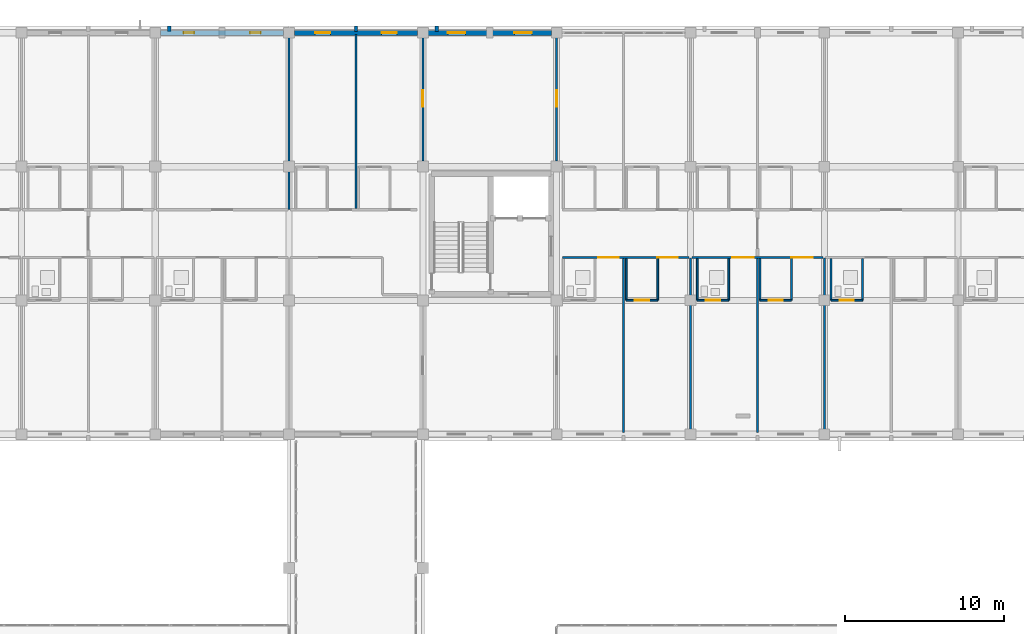
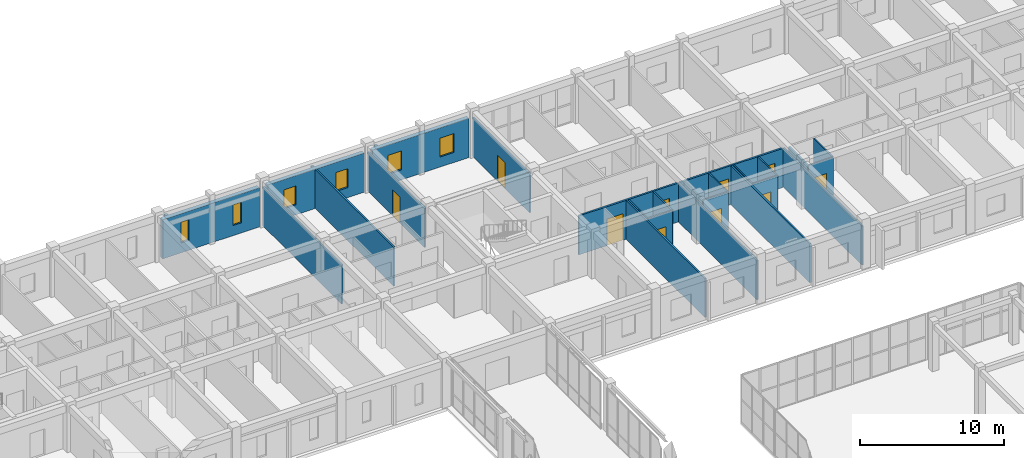
# One storey, part 121 of 140: 28 walls, 10 doors, 6 windows, 16 openings.
"""IFC4 building model written with IfcOpenShell, lengths in metres."""

from ifc_helpers import new_model, si_unit, direction, frame, frame_2d, origin, place, context, subcontext, project, spatial, rectangle, extrude, material, layer, layer_set, type_object, element, fill, save


model = new_model("IFC4")

# Units and contexts
model_context = context("Model", 3, precision=1e-05, world=origin(), true_north=direction((0.0, 1.0)))
body_context = subcontext(model_context, "Body", "Model", "MODEL_VIEW")
ifc_project = project(units=[si_unit("LENGTHUNIT", "METRE"), si_unit("AREAUNIT", "SQUARE_METRE"), si_unit("VOLUMEUNIT", "CUBIC_METRE"), si_unit("PLANEANGLEUNIT", "RADIAN"), si_unit("MASSUNIT", "GRAM", prefix="KILO")], contexts=[model_context])

# Site, building, storey
site_placement = place(None, origin())
site = spatial("IfcSite", under=ifc_project, at=site_placement, CompositionType="ELEMENT")
building_placement = place(site_placement, origin())
building = spatial("IfcBuilding", under=site, at=building_placement, Name="Trelvath General Hospital", CompositionType="ELEMENT")
storey_placement = place(building_placement, frame((0.0, 0.0, 16.199951171875)))
storey = spatial("IfcBuildingStorey", under=building, at=storey_placement, Name="L04", CompositionType="ELEMENT", Elevation=16.199951171875)

# Walls
ifc_material_1 = material(Name="Precast concrete C40/50", Category="concrete")
ifc_layer_1 = layer(ifc_material_1, 0.199951171875)
ifc_layer_set_1 = layer_set([ifc_layer_1], Name="Precast concrete C40/50")
wall_type_1 = type_object("IfcWallType", Name="BriseSoleilRib 200", PredefinedType="ELEMENTEDWALL", material=ifc_layer_set_1)
for number, where, z_axis, x_axis, name in (
    (1, (68.076171875, 117.675048828125, 0.0), (0.0, 0.0, 1.0), (0.0, 1.0, 0.0), "Precast Concrete Brise-Soleil Rib Fin L04-333"),
    (2, (79.800048828125, 117.675048828125, 0.0), (0.0, 0.0, 1.0), (0.0, 1.0, 0.0), "Precast Concrete Brise-Soleil Rib Fin L04-335"),
    (3, (84.876220703125, 117.675048828125, 0.0), (0.0, 0.0, 1.0), (0.0, 1.0, 0.0), "Precast Concrete Brise-Soleil Rib Fin L04-339"),
):
    element("IfcWall", number, at=place(storey_placement, frame(where, z_axis=z_axis, x_axis=x_axis)), inside=storey, type_object=wall_type_1, Name=name, PredefinedType="ELEMENTEDWALL", context=body_context, shape_type="SweptSolid", body=[
        extrude(rectangle(XDim=0.33984375, YDim=0.199951171875, at=frame_2d((0.169921875, 0.0))), origin(), (0.0, 0.0, 1.0), 3.300048828125),
    ])

# Wall, openings, doors
ifc_material_2 = material(Name="Gypsum acoustic steel-stud partition", Category="steel")
ifc_layer_2 = layer(ifc_material_2, 0.14990234375)
ifc_layer_set_2 = layer_set([ifc_layer_2], Name="Gypsum acoustic steel-stud partition")
wall_type_2 = type_object("IfcWallType", Name="ClinicalPartition 150", PredefinedType="PARTITIONING", material=ifc_layer_set_2)
wall_1_placement = place(storey_placement, frame((92.760009765625, 103.5, 0.0), z_axis=(0.0, 0.0, 1.0), x_axis=(1.0, 0.0, 0.0)))
wall_1 = element("IfcWall", 4, at=wall_1_placement, inside=storey, type_object=wall_type_2, Name="Corridor Partition L04-1638", PredefinedType="PARTITIONING", context=body_context, shape_type="SweptSolid", body=[
    extrude(rectangle(XDim=7.9599609375, YDim=0.14990234375, at=frame_2d((3.97998046875, 0.0))), origin(), (0.0, 0.0, 1.0), 3.300048828125),
])
opening_1_placement = place(wall_1_placement, frame((2.25, 0.0, 0.0)))
opening_1 = element("IfcOpeningElement", 5, at=opening_1_placement, cuts=wall_1, Name="Opening D-4-1110", PredefinedType="OPENING", context=body_context, shape_type="SweptSolid", body=[
    extrude(rectangle(XDim=1.300048828125, YDim=2.25, at=frame_2d((0.64990234375, 1.125))), frame((0.0, 0.0849609375, 0.0), z_axis=(0.0, -1.0, 0.0), x_axis=(1.0, 0.0, 0.0)), (0.0, 0.0, 1.0), 0.169921875),
])
opening_2_placement = place(wall_1_placement, frame((5.949951171875, 0.0, 0.0)))
opening_2 = element("IfcOpeningElement", 6, at=opening_2_placement, cuts=wall_1, Name="Opening D-4-1111", PredefinedType="OPENING", context=body_context, shape_type="SweptSolid", body=[
    extrude(rectangle(XDim=1.300048828125, YDim=2.25, at=frame_2d((0.64990234375, 1.125))), frame((0.0, 0.0849609375, 0.0), z_axis=(0.0, -1.0, 0.0), x_axis=(1.0, 0.0, 0.0)), (0.0, 0.0, 1.0), 0.169921875),
])
ifc_material_3 = material(Name="Hospital bed-leaf timber door", Category="wood")
door_type_1 = type_object("IfcDoorType", Name="Door PatientBed 1300x2250", OperationType="NOTDEFINED", PredefinedType="DOOR", material=ifc_material_3)
door_1_placement = place(opening_1_placement, origin())
door_1 = element("IfcDoor", 7, at=door_1_placement, inside=storey, type_object=door_type_1, Name="Patient Room Door L04-1110", OperationType="SINGLE_SWING_RIGHT", OverallHeight=2.25, OverallWidth=1.300048828125, PredefinedType="DOOR", context=body_context, shape_type="SweptSolid", body=[
    extrude(rectangle(XDim=1.300048828125, YDim=2.25, at=frame_2d((0.64990234375, 1.125))), frame((0.0, 0.02490234375, 0.0), z_axis=(0.0, -1.0, 0.0), x_axis=(1.0, 0.0, 0.0)), (0.0, 0.0, 1.0), 0.050048828125),
])
fill(opening_1, door_1)
door_2_placement = place(opening_2_placement, origin())
door_2 = element("IfcDoor", 8, at=door_2_placement, inside=storey, type_object=door_type_1, Name="Patient Room Door L04-1111", OperationType="SINGLE_SWING_LEFT", OverallHeight=2.25, OverallWidth=1.300048828125, PredefinedType="DOOR", context=body_context, shape_type="SweptSolid", body=[
    extrude(rectangle(XDim=1.300048828125, YDim=2.25, at=frame_2d((0.64990234375, 1.125))), frame((0.0, 0.02490234375, 0.0), z_axis=(0.0, -1.0, 0.0), x_axis=(1.0, 0.0, 0.0)), (0.0, 0.0, 1.0), 0.050048828125),
])
fill(opening_2, door_2)

wall_2_placement = place(storey_placement, frame((100.8798828125, 103.5, 0.0), z_axis=(0.0, 0.0, 1.0), x_axis=(1.0, 0.0, 0.0)))
wall_2 = element("IfcWall", 9, at=wall_2_placement, inside=storey, type_object=wall_type_2, Name="Corridor Partition L04-1656", PredefinedType="PARTITIONING", context=body_context, shape_type="SweptSolid", body=[
    extrude(rectangle(XDim=8.240234375, YDim=0.14990234375, at=frame_2d((4.1201171875, 0.0))), origin(), (0.0, 0.0, 1.0), 3.300048828125),
])
opening_3_placement = place(wall_2_placement, frame((2.530029296875, 0.0, 0.0)))
opening_3 = element("IfcOpeningElement", 10, at=opening_3_placement, cuts=wall_2, Name="Opening D-4-1118", PredefinedType="OPENING", context=body_context, shape_type="SweptSolid", body=[
    extrude(rectangle(XDim=1.35009765625, YDim=2.25, at=frame_2d((0.675048828125, 1.125))), frame((0.0, 0.0849609375, 0.0), z_axis=(0.0, -1.0, 0.0), x_axis=(1.0, 0.0, 0.0)), (0.0, 0.0, 1.0), 0.169921875),
])
opening_4_placement = place(wall_2_placement, frame((6.22998046875, 0.0, 0.0)))
opening_4 = element("IfcOpeningElement", 11, at=opening_4_placement, cuts=wall_2, Name="Opening D-4-1119", PredefinedType="OPENING", context=body_context, shape_type="SweptSolid", body=[
    extrude(rectangle(XDim=1.35009765625, YDim=2.25, at=frame_2d((0.675048828125, 1.125))), frame((0.0, 0.0849609375, 0.0), z_axis=(0.0, -1.0, 0.0), x_axis=(1.0, 0.0, 0.0)), (0.0, 0.0, 1.0), 0.169921875),
])
ifc_material_4 = material(Name="Airtight isolation bed door")
door_type_2 = type_object("IfcDoorType", Name="Door PatientIso 1350x2250", OperationType="NOTDEFINED", PredefinedType="DOOR", material=ifc_material_4)
door_3_placement = place(opening_3_placement, origin())
door_3 = element("IfcDoor", 12, at=door_3_placement, inside=storey, type_object=door_type_2, Name="Patient Room Door L04-1118", OperationType="SINGLE_SWING_LEFT", OverallHeight=2.25, OverallWidth=1.35009765625, PredefinedType="DOOR", context=body_context, shape_type="SweptSolid", body=[
    extrude(rectangle(XDim=1.35009765625, YDim=2.25, at=frame_2d((0.675048828125, 1.125))), frame((0.0, 0.02490234375, 0.0), z_axis=(0.0, -1.0, 0.0), x_axis=(1.0, 0.0, 0.0)), (0.0, 0.0, 1.0), 0.050048828125),
])
fill(opening_3, door_3)
door_4_placement = place(opening_4_placement, origin())
door_4 = element("IfcDoor", 13, at=door_4_placement, inside=storey, type_object=door_type_2, Name="Patient Room Door L04-1119", OperationType="SINGLE_SWING_RIGHT", OverallHeight=2.25, OverallWidth=1.35009765625, PredefinedType="DOOR", context=body_context, shape_type="SweptSolid", body=[
    extrude(rectangle(XDim=1.35009765625, YDim=2.25, at=frame_2d((0.675048828125, 1.125))), frame((0.0, 0.02490234375, 0.0), z_axis=(0.0, -1.0, 0.0), x_axis=(1.0, 0.0, 0.0)), (0.0, 0.0, 1.0), 0.050048828125),
])
fill(opening_4, door_4)

# Walls
ifc_material_5 = material(Name="Moisture-resistant tile partition")
ifc_layer_3 = layer(ifc_material_5, 0.110107421875)
ifc_layer_set_3 = layer_set([ifc_layer_3], Name="Moisture-resistant tile partition")
wall_type_3 = type_object("IfcWallType", Name="EnSuiteWetWall 110", PredefinedType="PARTITIONING", material=ifc_layer_set_3)
for number, where, z_axis, x_axis, name in (
    (14, (96.760009765625, 100.820068359375, 0.0), (0.0, 0.0, 1.0), (0.0, 1.0, 0.0), "En-Suite W Wall L04-1643"),
    (15, (98.739990234375, 100.820068359375, 0.0), (0.0, 0.0, 1.0), (0.0, 1.0, 0.0), "En-Suite E Wall L04-1644"),
):
    element("IfcWall", number, at=place(storey_placement, frame(where, z_axis=z_axis, x_axis=x_axis)), inside=storey, type_object=wall_type_3, Name=name, PredefinedType="PARTITIONING", context=body_context, shape_type="SweptSolid", body=[
        extrude(rectangle(XDim=2.60986328125, YDim=0.110107421875, at=frame_2d((1.304931640625, 0.0))), origin(), (0.0, 0.0, 1.0), 3.300048828125),
    ])

# Wall, opening, door
wall_3_placement = place(storey_placement, frame((96.760009765625, 100.820068359375, 0.0), z_axis=(0.0, 0.0, 1.0), x_axis=(1.0, 0.0, 0.0)))
wall_3 = element("IfcWall", 16, at=wall_3_placement, inside=storey, type_object=wall_type_3, Name="En-Suite Bathroom Partition L04-1645", PredefinedType="PARTITIONING", context=body_context, shape_type="SweptSolid", body=[
    extrude(rectangle(XDim=1.97998046875, YDim=0.110107421875, at=frame_2d((0.989990234375, 0.0))), origin(), (0.0, 0.0, 1.0), 3.300048828125),
])
opening_5_placement = place(wall_3_placement, frame((0.5400390625, 0.0, 0.0)))
opening_5 = element("IfcOpeningElement", 17, at=opening_5_placement, cuts=wall_3, Name="Opening D-4-1113", PredefinedType="OPENING", context=body_context, shape_type="SweptSolid", body=[
    extrude(rectangle(XDim=0.89990234375, YDim=2.10009765625, at=frame_2d((0.449951171875, 1.050048828125))), frame((0.0, 0.06494140625, 0.0), z_axis=(0.0, -1.0, 0.0), x_axis=(1.0, 0.0, 0.0)), (0.0, 0.0, 1.0), 0.130126953125),
])
ifc_material_6 = material(Name="Moisture-sealed timber leaf", Category="wood")
door_type_3 = type_object("IfcDoorType", Name="Door EnSuite 900x2100", OperationType="NOTDEFINED", PredefinedType="DOOR", material=ifc_material_6)
door_5_placement = place(opening_5_placement, origin())
door_5 = element("IfcDoor", 18, at=door_5_placement, inside=storey, type_object=door_type_3, Name="En-Suite Bathroom Door L04-1113", OperationType="SINGLE_SWING_LEFT", OverallHeight=2.10009765625, OverallWidth=0.89990234375, PredefinedType="DOOR", context=body_context, shape_type="SweptSolid", body=[
    extrude(rectangle(XDim=0.89990234375, YDim=2.10009765625, at=frame_2d((0.449951171875, 1.050048828125))), frame((0.0, 0.02490234375, 0.0), z_axis=(0.0, -1.0, 0.0), x_axis=(1.0, 0.0, 0.0)), (0.0, 0.0, 1.0), 0.050048828125),
])
fill(opening_5, door_5)

# Walls
for number, where, z_axis, x_axis, name in (
    (19, (101.219970703125, 100.820068359375, 0.0), (0.0, 0.0, 1.0), (0.0, 1.0, 0.0), "En-Suite W Wall L04-1658"),
    (20, (103.199951171875, 100.820068359375, 0.0), (0.0, 0.0, 1.0), (0.0, 1.0, 0.0), "En-Suite E Wall L04-1659"),
):
    element("IfcWall", number, at=place(storey_placement, frame(where, z_axis=z_axis, x_axis=x_axis)), inside=storey, type_object=wall_type_3, Name=name, PredefinedType="PARTITIONING", context=body_context, shape_type="SweptSolid", body=[
        extrude(rectangle(XDim=2.60986328125, YDim=0.110107421875, at=frame_2d((1.304931640625, 0.0))), origin(), (0.0, 0.0, 1.0), 3.300048828125),
    ])

# Wall, opening, door
wall_4_placement = place(storey_placement, frame((101.219970703125, 100.820068359375, 0.0), z_axis=(0.0, 0.0, 1.0), x_axis=(1.0, 0.0, 0.0)))
wall_4 = element("IfcWall", 21, at=wall_4_placement, inside=storey, type_object=wall_type_3, Name="En-Suite Bathroom Partition L04-1660", PredefinedType="PARTITIONING", context=body_context, shape_type="SweptSolid", body=[
    extrude(rectangle(XDim=1.97998046875, YDim=0.110107421875, at=frame_2d((0.989990234375, 0.0))), origin(), (0.0, 0.0, 1.0), 3.300048828125),
])
opening_6_placement = place(wall_4_placement, frame((0.5400390625, 0.0, 0.0)))
opening_6 = element("IfcOpeningElement", 22, at=opening_6_placement, cuts=wall_4, Name="Opening D-4-1120", PredefinedType="OPENING", context=body_context, shape_type="SweptSolid", body=[
    extrude(rectangle(XDim=0.89990234375, YDim=2.10009765625, at=frame_2d((0.449951171875, 1.050048828125))), frame((0.0, 0.06494140625, 0.0), z_axis=(0.0, -1.0, 0.0), x_axis=(1.0, 0.0, 0.0)), (0.0, 0.0, 1.0), 0.130126953125),
])
door_6_placement = place(opening_6_placement, origin())
door_6 = element("IfcDoor", 23, at=door_6_placement, inside=storey, type_object=door_type_3, Name="En-Suite Bathroom Door L04-1120", OperationType="SINGLE_SWING_LEFT", OverallHeight=2.10009765625, OverallWidth=0.89990234375, PredefinedType="DOOR", context=body_context, shape_type="SweptSolid", body=[
    extrude(rectangle(XDim=0.89990234375, YDim=2.10009765625, at=frame_2d((0.449951171875, 1.050048828125))), frame((0.0, 0.02490234375, 0.0), z_axis=(0.0, -1.0, 0.0), x_axis=(1.0, 0.0, 0.0)), (0.0, 0.0, 1.0), 0.050048828125),
])
fill(opening_6, door_6)

# Walls
for number, where, z_axis, x_axis, name in (
    (24, (105.159912109375, 100.820068359375, 0.0), (0.0, 0.0, 1.0), (0.0, 1.0, 0.0), "En-Suite W Wall L04-1661"),
    (25, (107.139892578125, 100.820068359375, 0.0), (0.0, 0.0, 1.0), (0.0, 1.0, 0.0), "En-Suite E Wall L04-1662"),
):
    element("IfcWall", number, at=place(storey_placement, frame(where, z_axis=z_axis, x_axis=x_axis)), inside=storey, type_object=wall_type_3, Name=name, PredefinedType="PARTITIONING", context=body_context, shape_type="SweptSolid", body=[
        extrude(rectangle(XDim=2.60986328125, YDim=0.110107421875, at=frame_2d((1.304931640625, 0.0))), origin(), (0.0, 0.0, 1.0), 3.300048828125),
    ])

# Wall, opening, door
wall_5_placement = place(storey_placement, frame((105.159912109375, 100.820068359375, 0.0), z_axis=(0.0, 0.0, 1.0), x_axis=(1.0, 0.0, 0.0)))
wall_5 = element("IfcWall", 26, at=wall_5_placement, inside=storey, type_object=wall_type_3, Name="En-Suite Bathroom Partition L04-1663", PredefinedType="PARTITIONING", context=body_context, shape_type="SweptSolid", body=[
    extrude(rectangle(XDim=1.97998046875, YDim=0.110107421875, at=frame_2d((0.989990234375, 0.0))), origin(), (0.0, 0.0, 1.0), 3.300048828125),
])
opening_7_placement = place(wall_5_placement, frame((0.5400390625, 0.0, 0.0)))
opening_7 = element("IfcOpeningElement", 27, at=opening_7_placement, cuts=wall_5, Name="Opening D-4-1121", PredefinedType="OPENING", context=body_context, shape_type="SweptSolid", body=[
    extrude(rectangle(XDim=0.89990234375, YDim=2.10009765625, at=frame_2d((0.449951171875, 1.050048828125))), frame((0.0, 0.06494140625, 0.0), z_axis=(0.0, -1.0, 0.0), x_axis=(1.0, 0.0, 0.0)), (0.0, 0.0, 1.0), 0.130126953125),
])
door_7_placement = place(opening_7_placement, origin())
door_7 = element("IfcDoor", 28, at=door_7_placement, inside=storey, type_object=door_type_3, Name="En-Suite Bathroom Door L04-1121", OperationType="SINGLE_SWING_RIGHT", OverallHeight=2.10009765625, OverallWidth=0.89990234375, PredefinedType="DOOR", context=body_context, shape_type="SweptSolid", body=[
    extrude(rectangle(XDim=0.89990234375, YDim=2.10009765625, at=frame_2d((0.449951171875, 1.050048828125))), frame((0.0, 0.02490234375, 0.0), z_axis=(0.0, -1.0, 0.0), x_axis=(1.0, 0.0, 0.0)), (0.0, 0.0, 1.0), 0.050048828125),
])
fill(opening_7, door_7)

# Walls
for number, where, z_axis, x_axis, name in (
    (29, (109.6201171875, 100.820068359375, 0.0), (0.0, 0.0, 1.0), (0.0, 1.0, 0.0), "En-Suite W Wall L04-1678"),
    (30, (111.60009765625, 100.820068359375, 0.0), (0.0, 0.0, 1.0), (0.0, 1.0, 0.0), "En-Suite E Wall L04-1679"),
):
    element("IfcWall", number, at=place(storey_placement, frame(where, z_axis=z_axis, x_axis=x_axis)), inside=storey, type_object=wall_type_3, Name=name, PredefinedType="PARTITIONING", context=body_context, shape_type="SweptSolid", body=[
        extrude(rectangle(XDim=2.60986328125, YDim=0.110107421875, at=frame_2d((1.304931640625, 0.0))), origin(), (0.0, 0.0, 1.0), 3.300048828125),
    ])

# Wall, opening, door
wall_6_placement = place(storey_placement, frame((109.6201171875, 100.820068359375, 0.0), z_axis=(0.0, 0.0, 1.0), x_axis=(1.0, 0.0, 0.0)))
wall_6 = element("IfcWall", 31, at=wall_6_placement, inside=storey, type_object=wall_type_3, Name="En-Suite Bathroom Partition L04-1680", PredefinedType="PARTITIONING", context=body_context, shape_type="SweptSolid", body=[
    extrude(rectangle(XDim=1.97998046875, YDim=0.110107421875, at=frame_2d((0.989990234375, 0.0))), origin(), (0.0, 0.0, 1.0), 3.300048828125),
])
opening_8_placement = place(wall_6_placement, frame((0.5400390625, 0.0, 0.0)))
opening_8 = element("IfcOpeningElement", 32, at=opening_8_placement, cuts=wall_6, Name="Opening D-4-1129", PredefinedType="OPENING", context=body_context, shape_type="SweptSolid", body=[
    extrude(rectangle(XDim=0.89990234375, YDim=2.10009765625, at=frame_2d((0.449951171875, 1.050048828125))), frame((0.0, 0.06494140625, 0.0), z_axis=(0.0, -1.0, 0.0), x_axis=(1.0, 0.0, 0.0)), (0.0, 0.0, 1.0), 0.130126953125),
])
door_8_placement = place(opening_8_placement, origin())
door_8 = element("IfcDoor", 33, at=door_8_placement, inside=storey, type_object=door_type_3, Name="En-Suite Bathroom Door L04-1129", OperationType="SINGLE_SWING_RIGHT", OverallHeight=2.10009765625, OverallWidth=0.89990234375, PredefinedType="DOOR", context=body_context, shape_type="SweptSolid", body=[
    extrude(rectangle(XDim=0.89990234375, YDim=2.10009765625, at=frame_2d((0.449951171875, 1.050048828125))), frame((0.0, 0.02490234375, 0.0), z_axis=(0.0, -1.0, 0.0), x_axis=(1.0, 0.0, 0.0)), (0.0, 0.0, 1.0), 0.050048828125),
])
fill(opening_8, door_8)

# Wall, openings, windows
ifc_material_7 = material(Name="Concrete C35/45", Category="concrete")
ifc_layer_4 = layer(ifc_material_7, 0.320068359375)
ifc_layer_set_4 = layer_set([ifc_layer_4], Name="Concrete C35/45")
wall_type_4 = type_object("IfcWallType", Name="ExtThermalWall 320", PredefinedType="SOLIDWALL", material=ifc_layer_set_4)
wall_7_placement = place(storey_placement, frame((67.534912109375, 117.60009765625, 0.0), z_axis=(0.0, 0.0, 1.0), x_axis=(1.0, 0.0, 0.0)))
wall_7 = element("IfcWall", 34, at=wall_7_placement, inside=storey, type_object=wall_type_4, Name="Exterior Concrete Wall L04-451", PredefinedType="SOLIDWALL", context=body_context, shape_type="SweptSolid", body=[
    extrude(rectangle(XDim=7.72998046875, YDim=0.320068359375, at=frame_2d((3.864990234375, 0.0))), origin(), (0.0, 0.0, 1.0), 3.320068359375),
])
opening_9_placement = place(wall_7_placement, frame((1.452880859375, 0.0, 0.85009765625)))
opening_9 = element("IfcOpeningElement", 35, at=opening_9_placement, cuts=wall_7, Name="Opening WN-4-751", PredefinedType="OPENING", context=body_context, shape_type="SweptSolid", body=[
    extrude(rectangle(XDim=0.64990234375, YDim=1.75, at=frame_2d((0.324951171875, 0.875))), frame((0.0, 0.169921875, 0.0), z_axis=(0.0, -1.0, 0.0), x_axis=(1.0, 0.0, 0.0)), (0.0, 0.0, 1.0), 0.340087890625),
])
opening_10_placement = place(wall_7_placement, frame((5.627197265625, 0.0, 0.85009765625)))
opening_10 = element("IfcOpeningElement", 36, at=opening_10_placement, cuts=wall_7, Name="Opening WN-4-752", PredefinedType="OPENING", context=body_context, shape_type="SweptSolid", body=[
    extrude(rectangle(XDim=0.64990234375, YDim=1.75, at=frame_2d((0.324951171875, 0.875))), frame((0.0, 0.169921875, 0.0), z_axis=(0.0, -1.0, 0.0), x_axis=(1.0, 0.0, 0.0)), (0.0, 0.0, 1.0), 0.340087890625),
])
ifc_material_8 = material(Name="Low-E laminated glass", Category="glass")
window_type_1 = type_object("IfcWindowType", Name="Window SunSlot 650x1750", PartitioningType="SINGLE_PANEL", PredefinedType="WINDOW", material=ifc_material_8)
window_1_placement = place(opening_9_placement, origin())
window_1 = element("IfcWindow", 37, at=window_1_placement, inside=storey, type_object=window_type_1, Name="Solar Reveal Window L04-751", OverallHeight=1.75, OverallWidth=0.64990234375, PartitioningType="SINGLE_PANEL", PredefinedType="WINDOW", context=body_context, shape_type="SweptSolid", body=[
    extrude(rectangle(XDim=0.64990234375, YDim=1.75, at=frame_2d((0.324951171875, 0.875))), frame((0.0, 0.030029296875, 0.0), z_axis=(0.0, -1.0, 0.0), x_axis=(1.0, 0.0, 0.0)), (0.0, 0.0, 1.0), 0.06005859375),
])
fill(opening_9, window_1)
window_2_placement = place(opening_10_placement, origin())
window_2 = element("IfcWindow", 38, at=window_2_placement, inside=storey, type_object=window_type_1, Name="Solar Reveal Window L04-752", OverallHeight=1.75, OverallWidth=0.64990234375, PartitioningType="SINGLE_PANEL", PredefinedType="WINDOW", context=body_context, shape_type="SweptSolid", body=[
    extrude(rectangle(XDim=0.64990234375, YDim=1.75, at=frame_2d((0.324951171875, 0.875))), frame((0.0, 0.030029296875, 0.0), z_axis=(0.0, -1.0, 0.0), x_axis=(1.0, 0.0, 0.0)), (0.0, 0.0, 1.0), 0.06005859375),
])
fill(opening_10, window_2)

wall_8_placement = place(storey_placement, frame((75.93505859375, 117.60009765625, 0.0), z_axis=(0.0, 0.0, 1.0), x_axis=(1.0, 0.0, 0.0)))
wall_8 = element("IfcWall", 39, at=wall_8_placement, inside=storey, type_object=wall_type_4, Name="Exterior Concrete Wall L04-460", PredefinedType="SOLIDWALL", context=body_context, shape_type="SweptSolid", body=[
    extrude(rectangle(XDim=7.72998046875, YDim=0.320068359375, at=frame_2d((3.864990234375, 0.0))), origin(), (0.0, 0.0, 1.0), 3.320068359375),
])
opening_11_placement = place(wall_8_placement, frame((1.302978515625, 0.0, 0.85009765625)))
opening_11 = element("IfcOpeningElement", 40, at=opening_11_placement, cuts=wall_8, Name="Opening WN-4-755", PredefinedType="OPENING", context=body_context, shape_type="SweptSolid", body=[
    extrude(rectangle(XDim=0.949951171875, YDim=1.60009765625, at=frame_2d((0.47509765625, 0.800048828125))), frame((0.0, 0.169921875, 0.0), z_axis=(0.0, -1.0, 0.0), x_axis=(1.0, 0.0, 0.0)), (0.0, 0.0, 1.0), 0.340087890625),
])
opening_12_placement = place(wall_8_placement, frame((5.47705078125, 0.0, 0.85009765625)))
opening_12 = element("IfcOpeningElement", 41, at=opening_12_placement, cuts=wall_8, Name="Opening WN-4-756", PredefinedType="OPENING", context=body_context, shape_type="SweptSolid", body=[
    extrude(rectangle(XDim=0.949951171875, YDim=1.60009765625, at=frame_2d((0.47509765625, 0.800048828125))), frame((0.0, 0.169921875, 0.0), z_axis=(0.0, -1.0, 0.0), x_axis=(1.0, 0.0, 0.0)), (0.0, 0.0, 1.0), 0.340087890625),
])
ifc_material_9 = material(Name="Low-E laminated glass", Category="glass")
window_type_2 = type_object("IfcWindowType", Name="Window DeepReveal 950x1600", PartitioningType="SINGLE_PANEL", PredefinedType="WINDOW", material=ifc_material_9)
window_3_placement = place(opening_11_placement, origin())
window_3 = element("IfcWindow", 42, at=window_3_placement, inside=storey, type_object=window_type_2, Name="Solar Reveal Window L04-755", OverallHeight=1.60009765625, OverallWidth=0.949951171875, PartitioningType="SINGLE_PANEL", PredefinedType="WINDOW", context=body_context, shape_type="SweptSolid", body=[
    extrude(rectangle(XDim=0.949951171875, YDim=1.60009765625, at=frame_2d((0.47509765625, 0.800048828125))), frame((0.0, 0.030029296875, 0.0), z_axis=(0.0, -1.0, 0.0), x_axis=(1.0, 0.0, 0.0)), (0.0, 0.0, 1.0), 0.06005859375),
])
fill(opening_11, window_3)
window_4_placement = place(opening_12_placement, origin())
window_4 = element("IfcWindow", 43, at=window_4_placement, inside=storey, type_object=window_type_2, Name="Solar Reveal Window L04-756", OverallHeight=1.60009765625, OverallWidth=0.949951171875, PartitioningType="SINGLE_PANEL", PredefinedType="WINDOW", context=body_context, shape_type="SweptSolid", body=[
    extrude(rectangle(XDim=0.949951171875, YDim=1.60009765625, at=frame_2d((0.47509765625, 0.800048828125))), frame((0.0, 0.030029296875, 0.0), z_axis=(0.0, -1.0, 0.0), x_axis=(1.0, 0.0, 0.0)), (0.0, 0.0, 1.0), 0.06005859375),
])
fill(opening_12, window_4)

wall_9_placement = place(storey_placement, frame((84.3349609375, 117.60009765625, 0.0), z_axis=(0.0, 0.0, 1.0), x_axis=(1.0, 0.0, 0.0)))
wall_9 = element("IfcWall", 44, at=wall_9_placement, inside=storey, type_object=wall_type_4, Name="Exterior Concrete Wall L04-467", PredefinedType="SOLIDWALL", context=body_context, shape_type="SweptSolid", body=[
    extrude(rectangle(XDim=7.72998046875, YDim=0.320068359375, at=frame_2d((3.864990234375, 0.0))), origin(), (0.0, 0.0, 1.0), 3.320068359375),
])
opening_13_placement = place(wall_9_placement, frame((1.227783203125, 0.0, 0.85009765625)))
opening_13 = element("IfcOpeningElement", 45, at=opening_13_placement, cuts=wall_9, Name="Opening WN-4-763", PredefinedType="OPENING", context=body_context, shape_type="SweptSolid", body=[
    extrude(rectangle(XDim=1.10009765625, YDim=1.60009765625, at=frame_2d((0.550048828125, 0.800048828125))), frame((0.0, 0.169921875, 0.0), z_axis=(0.0, -1.0, 0.0), x_axis=(1.0, 0.0, 0.0)), (0.0, 0.0, 1.0), 0.340087890625),
])
opening_14_placement = place(wall_9_placement, frame((5.402099609375, 0.0, 0.85009765625)))
opening_14 = element("IfcOpeningElement", 46, at=opening_14_placement, cuts=wall_9, Name="Opening WN-4-764", PredefinedType="OPENING", context=body_context, shape_type="SweptSolid", body=[
    extrude(rectangle(XDim=1.10009765625, YDim=1.60009765625, at=frame_2d((0.550048828125, 0.800048828125))), frame((0.0, 0.169921875, 0.0), z_axis=(0.0, -1.0, 0.0), x_axis=(1.0, 0.0, 0.0)), (0.0, 0.0, 1.0), 0.340087890625),
])
ifc_material_10 = material(Name="Low-E laminated glass", Category="glass")
window_type_3 = type_object("IfcWindowType", Name="Window DeepReveal 1100x1600", PartitioningType="SINGLE_PANEL", PredefinedType="WINDOW", material=ifc_material_10)
window_5_placement = place(opening_13_placement, origin())
window_5 = element("IfcWindow", 47, at=window_5_placement, inside=storey, type_object=window_type_3, Name="Solar Reveal Window L04-763", OverallHeight=1.60009765625, OverallWidth=1.10009765625, PartitioningType="SINGLE_PANEL", PredefinedType="WINDOW", context=body_context, shape_type="SweptSolid", body=[
    extrude(rectangle(XDim=1.10009765625, YDim=1.60009765625, at=frame_2d((0.550048828125, 0.800048828125))), frame((0.0, 0.030029296875, 0.0), z_axis=(0.0, -1.0, 0.0), x_axis=(1.0, 0.0, 0.0)), (0.0, 0.0, 1.0), 0.06005859375),
])
fill(opening_13, window_5)
window_6_placement = place(opening_14_placement, origin())
window_6 = element("IfcWindow", 48, at=window_6_placement, inside=storey, type_object=window_type_3, Name="Solar Reveal Window L04-764", OverallHeight=1.60009765625, OverallWidth=1.10009765625, PartitioningType="SINGLE_PANEL", PredefinedType="WINDOW", context=body_context, shape_type="SweptSolid", body=[
    extrude(rectangle(XDim=1.10009765625, YDim=1.60009765625, at=frame_2d((0.550048828125, 0.800048828125))), frame((0.0, 0.030029296875, 0.0), z_axis=(0.0, -1.0, 0.0), x_axis=(1.0, 0.0, 0.0)), (0.0, 0.0, 1.0), 0.06005859375),
])
fill(opening_14, window_6)

# Walls
ifc_material_11 = material(Name="Gypsum acoustic steel-stud partition", Category="steel")
ifc_layer_5 = layer(ifc_material_11, 0.1298828125)
ifc_layer_set_5 = layer_set([ifc_layer_5], Name="Gypsum acoustic steel-stud partition")
wall_type_5 = type_object("IfcWallType", Name="WardPartition 130", PredefinedType="PARTITIONING", material=ifc_layer_set_5)
wall_10_placement = place(storey_placement, frame((75.60009765625, 106.52001953125, 0.0), z_axis=(0.0, 0.0, 1.0), x_axis=(0.0, 1.0, 0.0)))
element("IfcWall", 49, at=wall_10_placement, inside=storey, type_object=wall_type_5, Name="Inter-Bay Ward Partition N L04-1622", PredefinedType="PARTITIONING", context=body_context, shape_type="SweptSolid", body=[
    extrude(rectangle(XDim=10.93994140625, YDim=0.1298828125, at=frame_2d((5.469970703125, 0.0))), origin(), (0.0, 0.0, 1.0), 3.300048828125),
])
wall_11_placement = place(storey_placement, frame((79.800048828125, 106.570068359375, 0.0), z_axis=(0.0, 0.0, 1.0), x_axis=(0.0, 1.0, 0.0)))
element("IfcWall", 50, at=wall_11_placement, inside=storey, type_object=wall_type_5, Name="Room Dividing Partition N L04-1627", PredefinedType="PARTITIONING", context=body_context, shape_type="SweptSolid", body=[
    extrude(rectangle(XDim=10.929931640625, YDim=0.1298828125, at=frame_2d((5.46484375, 0.0))), origin(), (0.0, 0.0, 1.0), 3.300048828125),
])

# Wall, opening, door
wall_12_placement = place(storey_placement, frame((84.0, 109.550048828125, 0.0), z_axis=(0.0, 0.0, 1.0), x_axis=(0.0, 1.0, 0.0)))
wall_12 = element("IfcWall", 51, at=wall_12_placement, inside=storey, type_object=wall_type_5, Name="Inter-Bay Ward Partition N L04-1635", PredefinedType="PARTITIONING", context=body_context, shape_type="SweptSolid", body=[
    extrude(rectangle(XDim=7.909912109375, YDim=0.1298828125, at=frame_2d((3.955078125, 0.0))), origin(), (0.0, 0.0, 1.0), 3.300048828125),
])
opening_15_placement = place(wall_12_placement, frame((3.39990234375, 0.0, 0.0)))
opening_15 = element("IfcOpeningElement", 52, at=opening_15_placement, cuts=wall_12, Name="Opening D-4-1107", PredefinedType="OPENING", context=body_context, shape_type="SweptSolid", body=[
    extrude(rectangle(XDim=1.050048828125, YDim=2.199951171875, at=frame_2d((0.52490234375, 1.10009765625))), frame((0.0, 0.074951171875, 0.0), z_axis=(0.0, -1.0, 0.0), x_axis=(1.0, 0.0, 0.0)), (0.0, 0.0, 1.0), 0.14990234375),
])
ifc_material_12 = material(Name="Acoustic hospital timber leaf", Category="wood")
door_type_4 = type_object("IfcDoorType", Name="Door Consult 1050x2200", OperationType="NOTDEFINED", PredefinedType="DOOR", material=ifc_material_12)
door_9_placement = place(opening_15_placement, origin())
door_9 = element("IfcDoor", 53, at=door_9_placement, inside=storey, type_object=door_type_4, Name="Consultation Connecting Door L04-1107", OperationType="SINGLE_SWING_LEFT", OverallHeight=2.199951171875, OverallWidth=1.050048828125, PredefinedType="DOOR", context=body_context, shape_type="SweptSolid", body=[
    extrude(rectangle(XDim=1.050048828125, YDim=2.199951171875, at=frame_2d((0.52490234375, 1.10009765625))), frame((0.0, 0.02490234375, 0.0), z_axis=(0.0, -1.0, 0.0), x_axis=(1.0, 0.0, 0.0)), (0.0, 0.0, 1.0), 0.050048828125),
])
fill(opening_15, door_9)

wall_13_placement = place(storey_placement, frame((92.39990234375, 109.550048828125, 0.0), z_axis=(0.0, 0.0, 1.0), x_axis=(0.0, 1.0, 0.0)))
wall_13 = element("IfcWall", 54, at=wall_13_placement, inside=storey, type_object=wall_type_5, Name="Inter-Bay Ward Partition N L04-1637", PredefinedType="PARTITIONING", context=body_context, shape_type="SweptSolid", body=[
    extrude(rectangle(XDim=7.909912109375, YDim=0.1298828125, at=frame_2d((3.955078125, 0.0))), origin(), (0.0, 0.0, 1.0), 3.300048828125),
])
opening_16_placement = place(wall_13_placement, frame((3.39990234375, 0.0, 0.0)))
opening_16 = element("IfcOpeningElement", 55, at=opening_16_placement, cuts=wall_13, Name="Opening D-4-1109", PredefinedType="OPENING", context=body_context, shape_type="SweptSolid", body=[
    extrude(rectangle(XDim=1.050048828125, YDim=2.199951171875, at=frame_2d((0.52490234375, 1.10009765625))), frame((0.0, 0.074951171875, 0.0), z_axis=(0.0, -1.0, 0.0), x_axis=(1.0, 0.0, 0.0)), (0.0, 0.0, 1.0), 0.14990234375),
])
door_10_placement = place(opening_16_placement, origin())
door_10 = element("IfcDoor", 56, at=door_10_placement, inside=storey, type_object=door_type_4, Name="Consultation Connecting Door L04-1109", OperationType="SINGLE_SWING_LEFT", OverallHeight=2.199951171875, OverallWidth=1.050048828125, PredefinedType="DOOR", context=body_context, shape_type="SweptSolid", body=[
    extrude(rectangle(XDim=1.050048828125, YDim=2.199951171875, at=frame_2d((0.52490234375, 1.10009765625))), frame((0.0, 0.02490234375, 0.0), z_axis=(0.0, -1.0, 0.0), x_axis=(1.0, 0.0, 0.0)), (0.0, 0.0, 1.0), 0.050048828125),
])
fill(opening_16, door_10)

# Walls
wall_14_placement = place(storey_placement, frame((96.60009765625, 92.5, 0.0), z_axis=(0.0, 0.0, 1.0), x_axis=(0.0, 1.0, 0.0)))
element("IfcWall", 57, at=wall_14_placement, inside=storey, type_object=wall_type_5, Name="Room Dividing Partition S L04-1639", PredefinedType="PARTITIONING", context=body_context, shape_type="SweptSolid", body=[
    extrude(rectangle(XDim=10.929931640625, YDim=0.1298828125, at=frame_2d((5.46484375, 0.0))), origin(), (0.0, 0.0, 1.0), 3.300048828125),
])
wall_15_placement = place(storey_placement, frame((100.800048828125, 92.5400390625, 0.0), z_axis=(0.0, 0.0, 1.0), x_axis=(0.0, 1.0, 0.0)))
element("IfcWall", 58, at=wall_15_placement, inside=storey, type_object=wall_type_5, Name="Inter-Bay Ward Partition S L04-1654", PredefinedType="PARTITIONING", context=body_context, shape_type="SweptSolid", body=[
    extrude(rectangle(XDim=10.93994140625, YDim=0.1298828125, at=frame_2d((5.469970703125, 0.0))), origin(), (0.0, 0.0, 1.0), 3.300048828125),
])
wall_16_placement = place(storey_placement, frame((105.0, 92.5, 0.0), z_axis=(0.0, 0.0, 1.0), x_axis=(0.0, 1.0, 0.0)))
element("IfcWall", 59, at=wall_16_placement, inside=storey, type_object=wall_type_5, Name="Room Dividing Partition S L04-1657", PredefinedType="PARTITIONING", context=body_context, shape_type="SweptSolid", body=[
    extrude(rectangle(XDim=10.929931640625, YDim=0.1298828125, at=frame_2d((5.46484375, 0.0))), origin(), (0.0, 0.0, 1.0), 3.300048828125),
])
wall_17_placement = place(storey_placement, frame((109.199951171875, 92.5400390625, 0.0), z_axis=(0.0, 0.0, 1.0), x_axis=(0.0, 1.0, 0.0)))
element("IfcWall", 60, at=wall_17_placement, inside=storey, type_object=wall_type_5, Name="Inter-Bay Ward Partition S L04-1674", PredefinedType="PARTITIONING", context=body_context, shape_type="SweptSolid", body=[
    extrude(rectangle(XDim=10.93994140625, YDim=0.1298828125, at=frame_2d((5.469970703125, 0.0))), origin(), (0.0, 0.0, 1.0), 3.300048828125),
])

save(model, "model.ifc")
